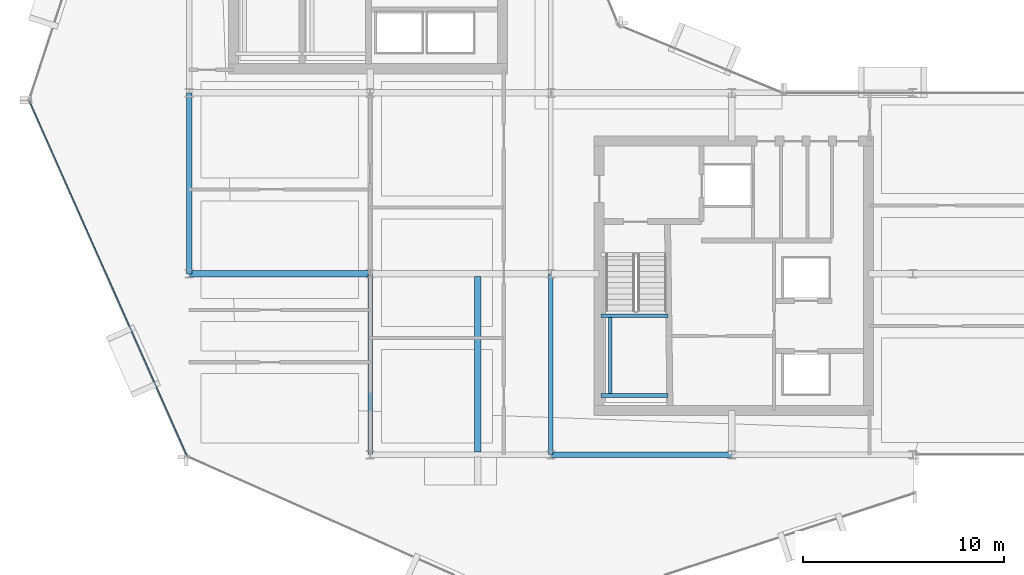
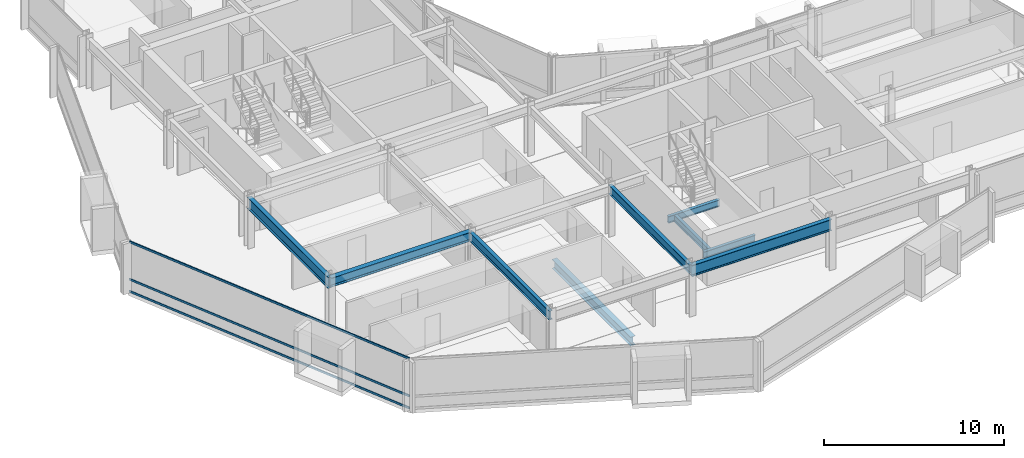
# One storey, part 5 of 29: 9 beams, 3 members, 1 element without a shape of its own.
"""IFC4 building model written with IfcOpenShell, lengths in metres."""

from ifc_helpers import new_model, si_unit, direction, frame, origin, origin_2d, place, context, subcontext, project, spatial, hollow_rectangle, i_section, extrude, material, layer, layer_set, material_profile, profile_set, type_object, element, aggregate, save


model = new_model("IFC4")

# Units and contexts
model_context = context("Model", 3, precision=1e-05, world=origin(), true_north=direction((0.0, 1.0)))
body_context = subcontext(model_context, "Body", "Model", "MODEL_VIEW")
ifc_project = project(units=[si_unit("LENGTHUNIT", "METRE"), si_unit("AREAUNIT", "SQUARE_METRE"), si_unit("VOLUMEUNIT", "CUBIC_METRE"), si_unit("PLANEANGLEUNIT", "RADIAN"), si_unit("MASSUNIT", "GRAM", prefix="KILO")], contexts=[model_context])

# Site, building, storey
site_placement = place(None, origin())
site = spatial("IfcSite", under=ifc_project, at=site_placement, CompositionType="ELEMENT")
building_placement = place(site_placement, origin())
building = spatial("IfcBuilding", under=site, at=building_placement, Name="Solvaryn Broadcast Tower", CompositionType="ELEMENT")
storey_placement = place(building_placement, frame((0.0, 0.0, 161.800048828125)))
storey = spatial("IfcBuildingStorey", under=building, at=storey_placement, Name="L40", CompositionType="ELEMENT", Elevation=161.800048828125)

# Beams
ifc_material_1 = material(Name="Steel ASTM A992 Grade 50", Category="steel")
ifc_material_profile_1 = material_profile(ifc_material_1, i_section(OverallWidth=0.323974609375, OverallDepth=0.611083984375, WebThickness=0.0126953125, FlangeThickness=0.01904296875, FilletRadius=0.014892578125, at=origin_2d()))
ifc_profile_set_1 = profile_set([ifc_material_profile_1], Name="Steel ASTM A992 Grade 50")
beam_type_1 = type_object("IfcBeamType", Name="BM-B1-W24X104", PredefinedType="BEAM", material=ifc_profile_set_1)
beam_1_placement = place(storey_placement, frame((23.35009765625, 17.875, -0.58544921875), z_axis=(0.0, -1.0, 0.0), x_axis=(1.0, 0.0, 0.0)))
element("IfcBeam", 1, at=beam_1_placement, inside=storey, type_object=beam_type_1, Name="L40 Bay-Box Back-Span Beam 1", PredefinedType="BEAM", context=body_context, shape_type="SweptSolid", body=[
    extrude(i_section(OverallWidth=0.323974609375, OverallDepth=0.611083984375, WebThickness=0.0126953125, FlangeThickness=0.01904296875, FilletRadius=0.014892578125, at=origin_2d()), origin(), (0.0, 0.0, 1.0), 8.75),
])
beam_2_placement = place(storey_placement, frame((9.0, 18.0, 3.114501953125), z_axis=(1.0, 0.0, 0.0), x_axis=(0.0, 1.0, 0.0)))
element("IfcBeam", 2, at=beam_2_placement, inside=storey, type_object=beam_type_1, Name="L40 Primary Beam X (9-18 @ Y=18)", PredefinedType="BEAM", context=body_context, shape_type="SweptSolid", body=[
    extrude(i_section(OverallWidth=0.323974609375, OverallDepth=0.611083984375, WebThickness=0.0126953125, FlangeThickness=0.01904296875, FilletRadius=0.014892578125, at=origin_2d()), origin(), (0.0, 0.0, 1.0), 9.0),
])
ifc_material_2 = material(Name="Steel ASTM A992 Grade 50", Category="steel")
ifc_material_profile_2 = material_profile(ifc_material_2, i_section(OverallWidth=0.22802734375, OverallDepth=0.60791015625, WebThickness=0.01123046875, FlangeThickness=0.017333984375, FilletRadius=0.014892578125, at=origin_2d()))
ifc_profile_set_2 = profile_set([ifc_material_profile_2], Name="Steel ASTM A992 Grade 50")
beam_type_2 = type_object("IfcBeamType", Name="BM-B2-W24X76", PredefinedType="BEAM", material=ifc_profile_set_2)
for number, where, z_axis, x_axis, name in (
    (3, (18.0, 9.0, 3.115966796875), (0.0, 1.0, 0.0), (-1.0, 0.0, 0.0), "L40 Primary Beam Y (9-18 @ X=18)"),
    (4, (27.0, 9.0, 3.115966796875), (0.0, 1.0, 0.0), (-1.0, 0.0, 0.0), "L40 Primary Beam Y (9-18 @ X=27)"),
):
    element("IfcBeam", number, at=place(storey_placement, frame(where, z_axis=z_axis, x_axis=x_axis)), inside=storey, type_object=beam_type_2, Name=name, PredefinedType="BEAM", context=body_context, shape_type="SweptSolid", body=[
        extrude(i_section(OverallWidth=0.22802734375, OverallDepth=0.60791015625, WebThickness=0.01123046875, FlangeThickness=0.017333984375, FilletRadius=0.014892578125, at=origin_2d()), origin(), (0.0, 0.0, 1.0), 9.0),
    ])
ifc_material_3 = material(Name="Steel ASTM A992 Grade 50", Category="steel")
ifc_material_profile_3 = material_profile(ifc_material_3, i_section(OverallWidth=0.18994140625, OverallDepth=0.45703125, WebThickness=0.009033203125, FlangeThickness=0.014404296875, FilletRadius=0.011962890625, at=origin_2d()))
ifc_profile_set_3 = profile_set([ifc_material_profile_3], Name="Steel ASTM A992 Grade 50")
beam_type_3 = type_object("IfcBeamType", Name="BM-B4-W18X50", PredefinedType="BEAM", material=ifc_profile_set_3)
for number, where, z_axis, x_axis, name in (
    (5, (29.5, 11.949951171875, 1.42138671875), (1.0, 0.0, 0.0), (0.0, 1.0, 0.0), "L40 ST3 Landing Support Beam 1A"),
    (6, (29.5, 15.909912109375, 1.42138671875), (1.0, 0.0, 0.0), (0.0, 1.0, 0.0), "L40 ST3 Landing Support Beam 1B"),
):
    element("IfcBeam", number, at=place(storey_placement, frame(where, z_axis=z_axis, x_axis=x_axis)), inside=storey, type_object=beam_type_3, Name=name, PredefinedType="BEAM", context=body_context, shape_type="SweptSolid", body=[
        extrude(i_section(OverallWidth=0.18994140625, OverallDepth=0.45703125, WebThickness=0.009033203125, FlangeThickness=0.014404296875, FilletRadius=0.011962890625, at=origin_2d()), origin(), (0.0, 0.0, 1.0), 3.320068359375),
    ])
beam_3_placement = place(storey_placement, frame((29.949951171875, 11.949951171875, 1.42138671875), z_axis=(0.0, 1.0, 0.0), x_axis=(-1.0, 0.0, 0.0)))
element("IfcBeam", 7, at=beam_3_placement, inside=storey, type_object=beam_type_3, Name="L40 ST3 Landing Cross Stringer 1C", PredefinedType="BEAM", context=body_context, shape_type="SweptSolid", body=[
    extrude(i_section(OverallWidth=0.18994140625, OverallDepth=0.45703125, WebThickness=0.009033203125, FlangeThickness=0.014404296875, FilletRadius=0.011962890625, at=origin_2d()), origin(), (0.0, 0.0, 1.0), 3.9599609375),
])
ifc_material_4 = material(Name="Steel ASTM A992 Grade 50", Category="steel")
ifc_material_profile_4 = material_profile(ifc_material_4, i_section(OverallWidth=0.26708984375, OverallDepth=0.76611328125, WebThickness=0.014892578125, FlangeThickness=0.023681640625, FilletRadius=0.01806640625, at=origin_2d()))
ifc_profile_set_4 = profile_set([ifc_material_profile_4], Name="Steel ASTM A992 Grade 50")
beam_type_4 = type_object("IfcBeamType", Name="BM-SP2-W30X124", PredefinedType="USERDEFINED", material=ifc_profile_set_4)
for number, where, z_axis, x_axis, name in (
    (8, (27.0, 9.0, 3.036865234375), (1.0, 0.0, 0.0), (0.0, 1.0, 0.0), "L40 Spandrel Beam X (27-36 @ Y=9)"),
    (9, (9.0, 18.0, 3.036865234375), (0.0, 1.0, 0.0), (-1.0, 0.0, 0.0), "L40 Spandrel Beam Y (18-27 @ X=9)"),
):
    element("IfcBeam", number, at=place(storey_placement, frame(where, z_axis=z_axis, x_axis=x_axis)), inside=storey, type_object=beam_type_4, Name=name, ObjectType="SPANDREL", PredefinedType="USERDEFINED", context=body_context, shape_type="SweptSolid", body=[
        extrude(i_section(OverallWidth=0.26708984375, OverallDepth=0.76611328125, WebThickness=0.014892578125, FlangeThickness=0.023681640625, FilletRadius=0.01806640625, at=origin_2d()), origin(), (0.0, 0.0, 1.0), 9.0),
    ])

# Curtain wall, members
ifc_material_5 = material(Name="Aluminium and Terracotta Unitised Curtain Wall", Category="masonry")
ifc_layer = layer(ifc_material_5, 0.239990234375)
ifc_layer_set = layer_set([ifc_layer], Name="CW-SYS3-BAYBOX")
curtain_wall_type = type_object("IfcCurtainWallType", Name="CW-SYS3-BAYBOX", PredefinedType="NOTDEFINED", material=ifc_layer_set)
curtain_wall_placement = place(storey_placement, origin())
curtain_wall = element("IfcCurtainWall", 10, at=curtain_wall_placement, inside=storey, type_object=curtain_wall_type, Name="L40 Curtain Wall DR2", PredefinedType="NOTDEFINED")
ifc_material_6 = material(Name="Anodised Aluminium 6063-T6", Category="aluminium")
ifc_material_profile_5 = material_profile(ifc_material_6, hollow_rectangle(XDim=0.06494140625, YDim=0.14990234375, WallThickness=0.00390625, InnerFilletRadius=0.00390625, OuterFilletRadius=0.008056640625, at=origin_2d()))
ifc_profile_set_5 = profile_set([ifc_material_profile_5], Name="Anodised Aluminium 6063-T6")
member_type = type_object("IfcMemberType", Name="CW-TRN-150", PredefinedType="USERDEFINED", material=ifc_profile_set_5)
member_1_placement = place(storey_placement, frame((1.058349609375, 26.5810546875, 0.030029296875), z_axis=(0.405917546252, -0.913909703223, 0.0), x_axis=(0.913909703223, 0.405917546252, 0.0)))
member_1 = element("IfcMember", 11, at=member_1_placement, type_object=member_type, Name="CWS3 transom 1.1", ObjectType="TRANSOM", PredefinedType="USERDEFINED", context=body_context, shape_type="SweptSolid", body=[
    extrude(hollow_rectangle(XDim=0.06494140625, YDim=0.14990234375, WallThickness=0.00390625, InnerFilletRadius=0.00390625, OuterFilletRadius=0.008056640625, at=origin_2d()), origin(), (0.0, 0.0, 1.0), 19.27783203125),
])
member_2_placement = place(storey_placement, frame((1.058349609375, 26.5810546875, 0.849853515625), z_axis=(0.405917546252, -0.913909703223, 0.0), x_axis=(0.913909703223, 0.405917546252, 0.0)))
member_2 = element("IfcMember", 12, at=member_2_placement, type_object=member_type, Name="CWS3 transom 1.2", ObjectType="TRANSOM", PredefinedType="USERDEFINED", context=body_context, shape_type="SweptSolid", body=[
    extrude(hollow_rectangle(XDim=0.06494140625, YDim=0.14990234375, WallThickness=0.00390625, InnerFilletRadius=0.00390625, OuterFilletRadius=0.008056640625, at=origin_2d()), origin(), (0.0, 0.0, 1.0), 19.27783203125),
])
member_3_placement = place(storey_placement, frame((1.058349609375, 26.5810546875, 3.389892578125), z_axis=(0.405917546252, -0.913909703223, 0.0), x_axis=(0.913909703223, 0.405917546252, 0.0)))
member_3 = element("IfcMember", 13, at=member_3_placement, type_object=member_type, Name="CWS3 transom 1.3", ObjectType="TRANSOM", PredefinedType="USERDEFINED", context=body_context, shape_type="SweptSolid", body=[
    extrude(hollow_rectangle(XDim=0.06494140625, YDim=0.14990234375, WallThickness=0.00390625, InnerFilletRadius=0.00390625, OuterFilletRadius=0.008056640625, at=origin_2d()), origin(), (0.0, 0.0, 1.0), 19.27783203125),
])
aggregate(curtain_wall, [member_1, member_2, member_3])

save(model, "model.ifc")
